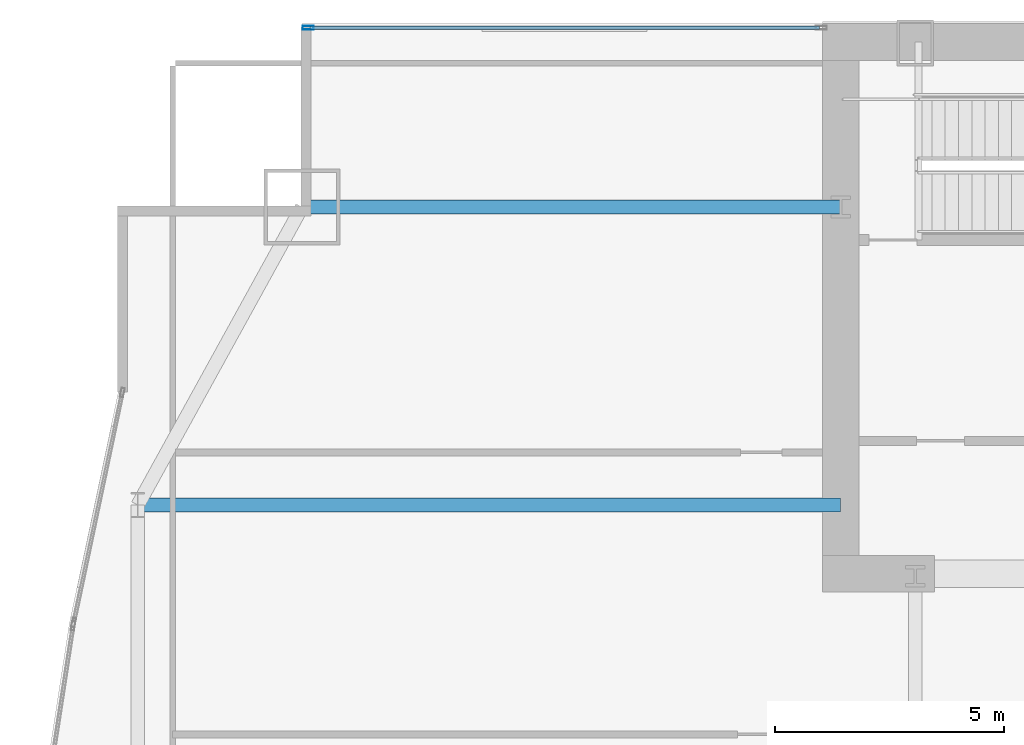
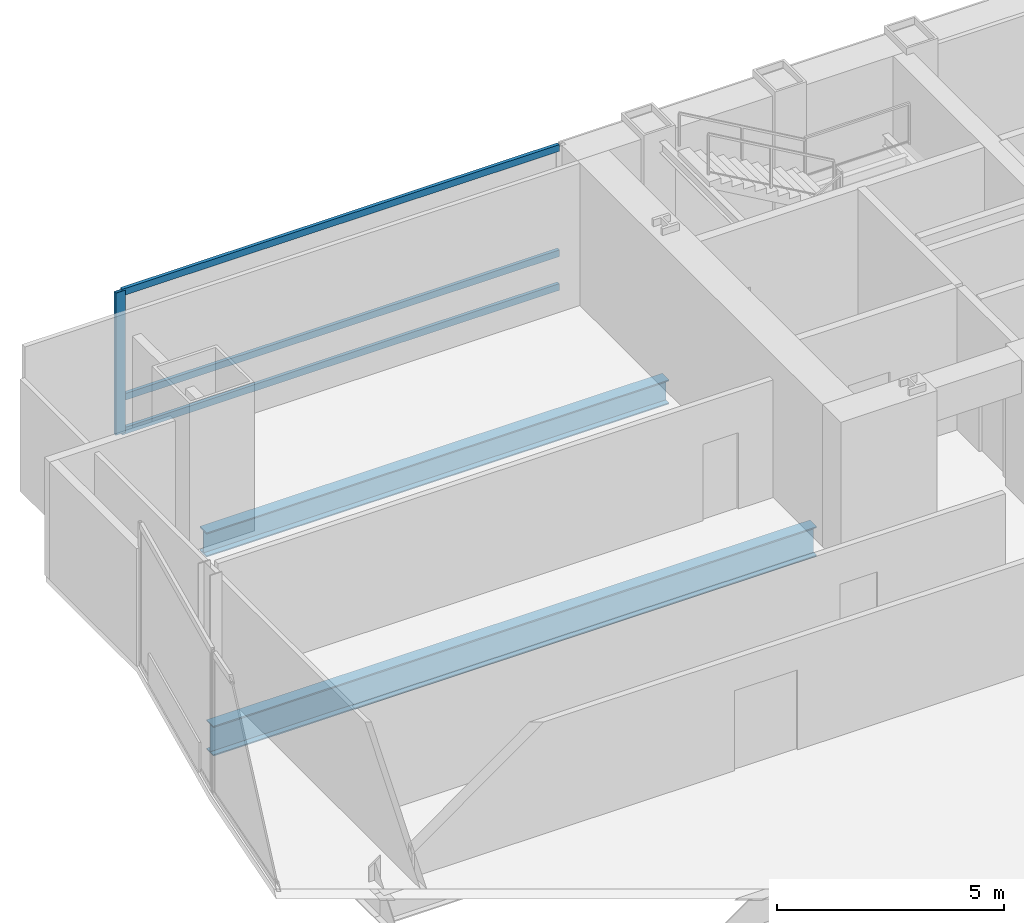
# One storey, part 17 of 35: 4 members, 2 beams, 1 element without a shape of its own.
"""IFC4 building model written with IfcOpenShell, lengths in metres."""

from ifc_helpers import new_model, si_unit, direction, frame, origin, origin_2d, place, context, subcontext, project, spatial, hollow_rectangle, i_section, extrude, material, material_profile, profile_set, type_object, element, aggregate, save


model = new_model("IFC4")

# Units and contexts
model_context = context("Model", 3, precision=1e-05, world=origin(), true_north=direction((0.0, 1.0)))
body_context = subcontext(model_context, "Body", "Model", "MODEL_VIEW")
ifc_project = project(units=[si_unit("LENGTHUNIT", "METRE"), si_unit("AREAUNIT", "SQUARE_METRE"), si_unit("VOLUMEUNIT", "CUBIC_METRE"), si_unit("PLANEANGLEUNIT", "RADIAN"), si_unit("MASSUNIT", "GRAM", prefix="KILO")], contexts=[model_context])

# Site, building, storey
site_placement = place(None, origin())
site = spatial("IfcSite", under=ifc_project, at=site_placement, CompositionType="ELEMENT")
building_placement = place(site_placement, origin())
building = spatial("IfcBuilding", under=site, at=building_placement, Name="Khoronbel Lancet Exchange", CompositionType="ELEMENT")
storey_placement = place(building_placement, frame((0.0, 0.0, 53.800048828125)))
storey = spatial("IfcBuildingStorey", under=building, at=storey_placement, Name="L12", CompositionType="ELEMENT", Elevation=53.800048828125)

# Beams
ifc_material_1 = material(Name="Steel S355", Category="steel")
ifc_material_profile_1 = material_profile(ifc_material_1, i_section(OverallWidth=0.300048828125, OverallDepth=0.800048828125, WebThickness=0.017578125, FlangeThickness=0.032958984375, at=origin_2d()), Name="HEB 800")
ifc_profile_set_1 = profile_set([ifc_material_profile_1], Name="Steel S355")
beam_type_1 = type_object("IfcBeamType", Name="BM-BG2", PredefinedType="BEAM", material=ifc_profile_set_1)
beam_1_placement = place(storey_placement, frame((1.27001953125, 43.199951171875, -0.580078125), z_axis=(1.0, 0.0, 0.0), x_axis=(0.0, 1.0, 0.0)))
element("IfcBeam", 1, at=beam_1_placement, inside=storey, type_object=beam_type_1, Name="Level L12 west lens tie girder LG3W", PredefinedType="BEAM", context=body_context, shape_type="SweptSolid", body=[
    extrude(i_section(OverallWidth=0.300048828125, OverallDepth=0.800048828125, WebThickness=0.017578125, FlangeThickness=0.032958984375, at=origin_2d()), origin(), (0.0, 0.0, 1.0), 15.330078125),
])
ifc_material_profile_2 = material_profile(ifc_material_1, i_section(OverallWidth=0.300048828125, OverallDepth=0.64990234375, WebThickness=0.01611328125, FlangeThickness=0.031005859375, at=origin_2d()), Name="HEB 650")
ifc_profile_set_2 = profile_set([ifc_material_profile_2], Name="Steel S355")
beam_type_2 = type_object("IfcBeamType", Name="BM-BSP1", PredefinedType="SPANDREL", material=ifc_profile_set_2)
beam_2_placement = place(storey_placement, frame((4.85009765625, 49.699951171875, -0.505126953125), z_axis=(1.0, 0.0, 0.0), x_axis=(0.0, 1.0, 0.0)))
element("IfcBeam", 2, at=beam_2_placement, inside=storey, type_object=beam_type_2, Name="Level L12 north flank tie spandrel SP22", PredefinedType="SPANDREL", context=body_context, shape_type="SweptSolid", body=[
    extrude(i_section(OverallWidth=0.300048828125, OverallDepth=0.64990234375, WebThickness=0.01611328125, FlangeThickness=0.031005859375, at=origin_2d()), origin(), (0.0, 0.0, 1.0), 11.75),
])

# Curtain wall, members
ifc_material_2 = material(Name="Low-E Solar Control Insulating Glass", Category="glass")
curtain_wall_type = type_object("IfcCurtainWallType", Name="CW-1", PredefinedType="NOTDEFINED", material=ifc_material_2)
curtain_wall_placement = place(storey_placement, origin())
curtain_wall = element("IfcCurtainWall", 3, at=curtain_wall_placement, inside=storey, type_object=curtain_wall_type, Name="Unitised curtain wall CW-L12-NWFLK", PredefinedType="NOTDEFINED")
ifc_material_3 = material(Name="Bronze-Anodised Aluminium 6063-T6", Category="aluminium")
ifc_material_profile_3 = material_profile(ifc_material_3, hollow_rectangle(XDim=0.0849609375, YDim=0.239990234375, WallThickness=0.006103515625, at=origin_2d()), Name="ALU MULLION 85x240")
ifc_profile_set_3 = profile_set([ifc_material_profile_3], Name="Bronze-Anodised Aluminium 6063-T6")
member_type_1 = type_object("IfcMemberType", Name="MEM-CWM1", PredefinedType="MULLION", material=ifc_profile_set_3)
member_1_placement = place(storey_placement, frame((4.982421875, 53.610107421875, 0.0), z_axis=(0.0, 0.0, 1.0), x_axis=(0.0, -1.0, 0.0)))
member_1 = element("IfcMember", 4, at=member_1_placement, type_object=member_type_1, Name="CW1 mullion 2", PredefinedType="MULLION", context=body_context, shape_type="SweptSolid", body=[
    extrude(hollow_rectangle(XDim=0.0849609375, YDim=0.239990234375, WallThickness=0.006103515625, at=origin_2d()), origin(), (0.0, 0.0, 1.0), 3.820068359375),
])
ifc_material_profile_4 = material_profile(ifc_material_3, hollow_rectangle(XDim=0.0849609375, YDim=0.179931640625, WallThickness=0.0048828125, at=origin_2d()), Name="ALU TRANSOM 85x180")
ifc_profile_set_4 = profile_set([ifc_material_profile_4], Name="Bronze-Anodised Aluminium 6063-T6")
member_type_2 = type_object("IfcMemberType", Name="MEM-CWT1", PredefinedType="USERDEFINED", material=ifc_profile_set_4)
member_2_placement = place(storey_placement, frame((16.135009765625, 53.610107421875, 0.04248046875), z_axis=(-1.0, 0.0, 0.0), x_axis=(0.0, -1.0, 0.0)))
member_2 = element("IfcMember", 5, at=member_2_placement, type_object=member_type_2, Name="CW1 transom 1.1", ObjectType="TRANSOM", PredefinedType="USERDEFINED", context=body_context, shape_type="SweptSolid", body=[
    extrude(hollow_rectangle(XDim=0.0849609375, YDim=0.179931640625, WallThickness=0.0048828125, at=origin_2d()), origin(), (0.0, 0.0, 1.0), 11.110107421875),
])
member_3_placement = place(storey_placement, frame((16.135009765625, 53.610107421875, 0.949951171875), z_axis=(-1.0, 0.0, 0.0), x_axis=(0.0, -1.0, 0.0)))
member_3 = element("IfcMember", 6, at=member_3_placement, type_object=member_type_2, Name="CW1 transom 1.2", ObjectType="TRANSOM", PredefinedType="USERDEFINED", context=body_context, shape_type="SweptSolid", body=[
    extrude(hollow_rectangle(XDim=0.0849609375, YDim=0.179931640625, WallThickness=0.0048828125, at=origin_2d()), origin(), (0.0, 0.0, 1.0), 11.110107421875),
])
member_4_placement = place(storey_placement, frame((16.135009765625, 53.610107421875, 3.77734375), z_axis=(-1.0, 0.0, 0.0), x_axis=(0.0, -1.0, 0.0)))
member_4 = element("IfcMember", 7, at=member_4_placement, type_object=member_type_2, Name="CW1 transom 1.3", ObjectType="TRANSOM", PredefinedType="USERDEFINED", context=body_context, shape_type="SweptSolid", body=[
    extrude(hollow_rectangle(XDim=0.0849609375, YDim=0.179931640625, WallThickness=0.0048828125, at=origin_2d()), origin(), (0.0, 0.0, 1.0), 11.110107421875),
])
aggregate(curtain_wall, [member_1, member_2, member_3, member_4])

save(model, "model.ifc")
